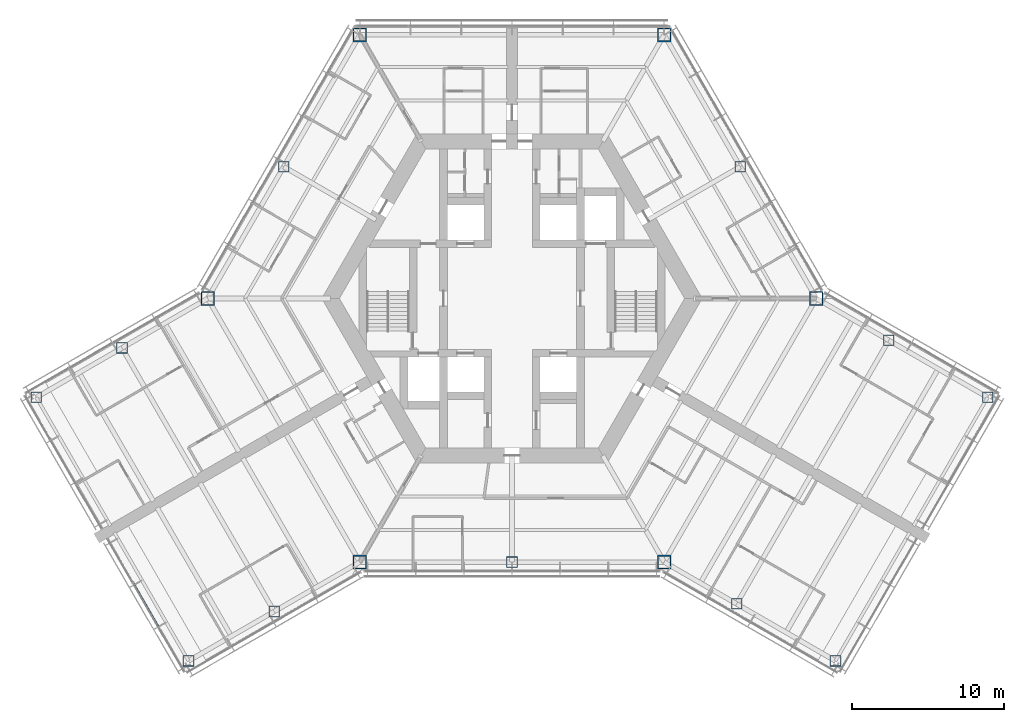
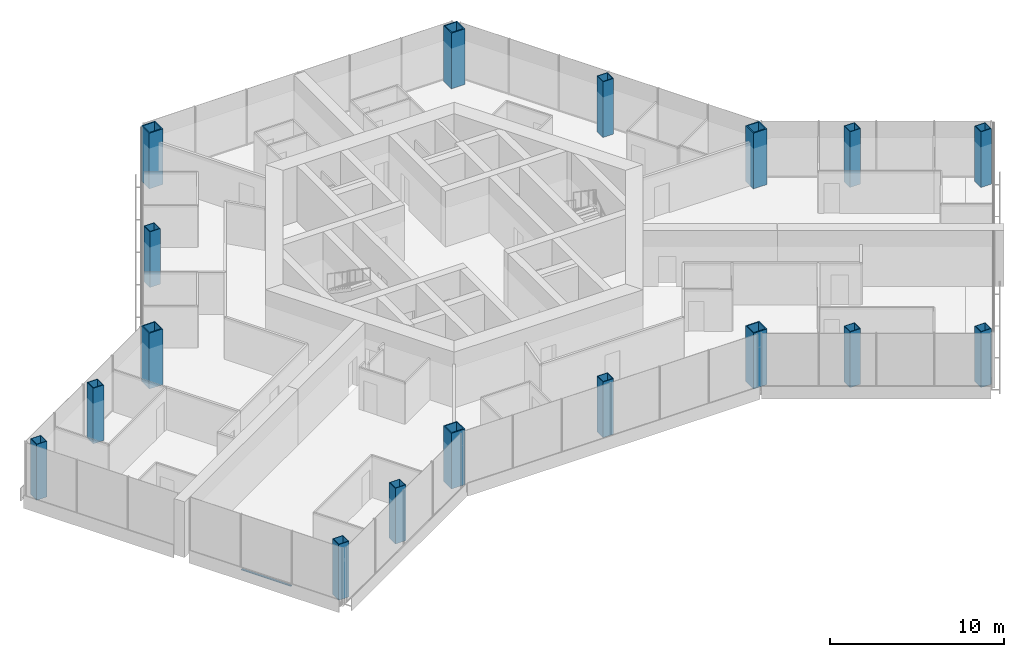
# One storey, part 1 of 18: 17 columns, 1 member, 1 element without a shape of its own.
"""IFC4 building model written with IfcOpenShell, lengths in metres."""

from ifc_helpers import new_model, si_unit, direction, frame, origin, origin_2d, place, context, subcontext, project, spatial, rectangle, hollow_rectangle, extrude, material, material_profile, profile_set, type_object, element, aggregate, save


model = new_model("IFC4")

# Units and contexts
model_context = context("Model", 3, precision=1e-05, world=origin(), true_north=direction((0.0, 1.0)))
body_context = subcontext(model_context, "Body", "Model", "MODEL_VIEW")
ifc_project = project(units=[si_unit("LENGTHUNIT", "METRE"), si_unit("AREAUNIT", "SQUARE_METRE"), si_unit("VOLUMEUNIT", "CUBIC_METRE"), si_unit("PLANEANGLEUNIT", "RADIAN"), si_unit("MASSUNIT", "GRAM", prefix="KILO")], contexts=[model_context])

# Site, building, storey
site_placement = place(None, origin())
site = spatial("IfcSite", under=ifc_project, at=site_placement, CompositionType="ELEMENT")
building_placement = place(site_placement, origin())
building = spatial("IfcBuilding", under=site, at=building_placement, Name="Kasaneha Research Tower", CompositionType="ELEMENT")
storey_placement = place(building_placement, frame((0.0, 0.0, 133.10009765625)))
storey = spatial("IfcBuildingStorey", under=building, at=storey_placement, Name="L33", CompositionType="ELEMENT", Elevation=133.10009765625)

# Columns
ifc_material_1 = material(Name="Steel SN490C", Category="steel")
ifc_material_profile_1 = material_profile(ifc_material_1, hollow_rectangle(XDim=0.699951171875, YDim=0.699951171875, WallThickness=0.035888671875, at=origin_2d()), Name="BOX-700x700x36")
ifc_profile_set_1 = profile_set([ifc_material_profile_1], Name="Steel SN490C")
column_type_1 = type_object("IfcColumnType", Name="C3B column BOX-700x700x36", PredefinedType="COLUMN", material=ifc_profile_set_1)
for number, where, z_axis, x_axis, name in (
    (1, (15.0, 8.66015625, 0.0), (0.0, 0.0, 1.0), (1.0, 0.0, 0.0), "Column M030 L33"),
    (2, (-15.0, 8.66015625, 0.0), (0.0, 0.0, 1.0), (1.0, 0.0, 0.0), "Column M150 L33"),
    (3, (0.0, -17.320556640625, 0.0), (0.0, 0.0, 1.0), (1.0, 0.0, 0.0), "Column M270 L33"),
    (4, (-25.629150390625, -3.25, 0.0), (0.0, 0.0, 1.0), (1.0, 0.0, 0.0), "Column BSP L33"),
    (5, (-31.25830078125, -6.5, 0.0), (0.0, 0.0, 1.0), (1.0, 0.0, 0.0), "Column BTP L33"),
    (6, (-15.629150390625, -20.570556640625, 0.0), (0.0, 0.0, 1.0), (1.0, 0.0, 0.0), "Column BSN L33"),
    (7, (-21.25830078125, -23.820556640625, 0.0), (0.0, 0.0, 1.0), (1.0, 0.0, 0.0), "Column BTN L33"),
    (8, (14.76318359375, -20.070556640625, 0.0), (0.0, 0.0, 1.0), (1.0, 0.0, 0.0), "Column CSP L33"),
    (9, (21.25830078125, -23.820556640625, 0.0), (0.0, 0.0, 1.0), (1.0, 0.0, 0.0), "Column CTP L33"),
    (10, (24.76318359375, -2.75, 0.0), (0.0, 0.0, 1.0), (1.0, 0.0, 0.0), "Column CSN L33"),
    (11, (31.25830078125, -6.5, 0.0), (0.0, 0.0, 1.0), (1.0, 0.0, 0.0), "Column CTN L33"),
):
    element("IfcColumn", number, at=place(storey_placement, frame(where, z_axis=z_axis, x_axis=x_axis)), inside=storey, type_object=column_type_1, Name=name, PredefinedType="COLUMN", context=body_context, shape_type="SweptSolid", body=[
        extrude(hollow_rectangle(XDim=0.699951171875, YDim=0.699951171875, WallThickness=0.035888671875, at=origin_2d()), origin(), (0.0, 0.0, 1.0), 3.89990234375),
    ])
ifc_material_2 = material(Name="Steel SN490C", Category="steel")
ifc_material_profile_2 = material_profile(ifc_material_2, hollow_rectangle(XDim=0.89990234375, YDim=0.89990234375, WallThickness=0.070068359375, at=origin_2d()), Name="BOX-900x900x70")
ifc_profile_set_2 = profile_set([ifc_material_profile_2], Name="Steel SN490C")
column_type_2 = type_object("IfcColumnType", Name="CT1 column BOX-900x900x70", PredefinedType="COLUMN", material=ifc_profile_set_2)
for number, where, z_axis, x_axis, name in (
    (12, (20.0, 0.0, 0.0), (0.0, 0.0, 1.0), (1.0, 0.0, 0.0), "Column V0 L33"),
    (13, (10.0, 17.320556640625, 0.0), (0.0, 0.0, 1.0), (1.0, 0.0, 0.0), "Column V1 L33"),
    (14, (-10.0, 17.320556640625, 0.0), (0.0, 0.0, 1.0), (1.0, 0.0, 0.0), "Column V2 L33"),
    (15, (-20.0, 0.0, 0.0), (0.0, 0.0, 1.0), (1.0, 0.0, 0.0), "Column V3 L33"),
    (16, (-10.0, -17.320556640625, 0.0), (0.0, 0.0, 1.0), (1.0, 0.0, 0.0), "Column V4 L33"),
    (17, (10.0, -17.320556640625, 0.0), (0.0, 0.0, 1.0), (1.0, 0.0, 0.0), "Column V5 L33"),
):
    element("IfcColumn", number, at=place(storey_placement, frame(where, z_axis=z_axis, x_axis=x_axis)), inside=storey, type_object=column_type_2, Name=name, PredefinedType="COLUMN", context=body_context, shape_type="SweptSolid", body=[
        extrude(hollow_rectangle(XDim=0.89990234375, YDim=0.89990234375, WallThickness=0.070068359375, at=origin_2d()), origin(), (0.0, 0.0, 1.0), 3.89990234375),
    ])

# Curtain wall, member
ifc_material_3 = material(Name="Glass and aluminium", Category="aluminium")
curtain_wall_type = type_object("IfcCurtainWallType", Name="Mid-rise office curtain wall", PredefinedType="USERDEFINED", material=ifc_material_3)
curtain_wall_placement = place(storey_placement, origin())
curtain_wall = element("IfcCurtainWall", 18, at=curtain_wall_placement, inside=storey, type_object=curtain_wall_type, Name="CW-O2 L33 run 11a", ObjectType="UNITISED CURTAIN WALL", PredefinedType="USERDEFINED")
ifc_material_4 = material(Name="Aluminium 6063-T6", Category="aluminium")
ifc_material_profile_3 = material_profile(ifc_material_4, rectangle(XDim=0.110107421875, YDim=0.06005859375, at=origin_2d()), Name="CW-O2 transom 110x60")
ifc_profile_set_3 = profile_set([ifc_material_profile_3], Name="Aluminium 6063-T6")
member_type = type_object("IfcMemberType", Name="CW-O2 transom", PredefinedType="USERDEFINED", material=ifc_profile_set_3)
member_placement = place(storey_placement, frame((-24.896240234375, -18.719482421875, 0.02978515625), z_axis=(0.500010745865, -0.866019199568, 0.0), x_axis=(0.866019199568, 0.500010745865, 0.0)))
member = element("IfcMember", 19, at=member_placement, type_object=member_type, Name="CW-O2 transom 2", ObjectType="TRANSOM", PredefinedType="USERDEFINED", context=body_context, shape_type="SweptSolid", body=[
    extrude(rectangle(XDim=0.110107421875, YDim=0.06005859375, at=origin_2d()), origin(), (0.0, 0.0, 1.0), 3.3232421875),
])
aggregate(curtain_wall, [member])

save(model, "model.ifc")
